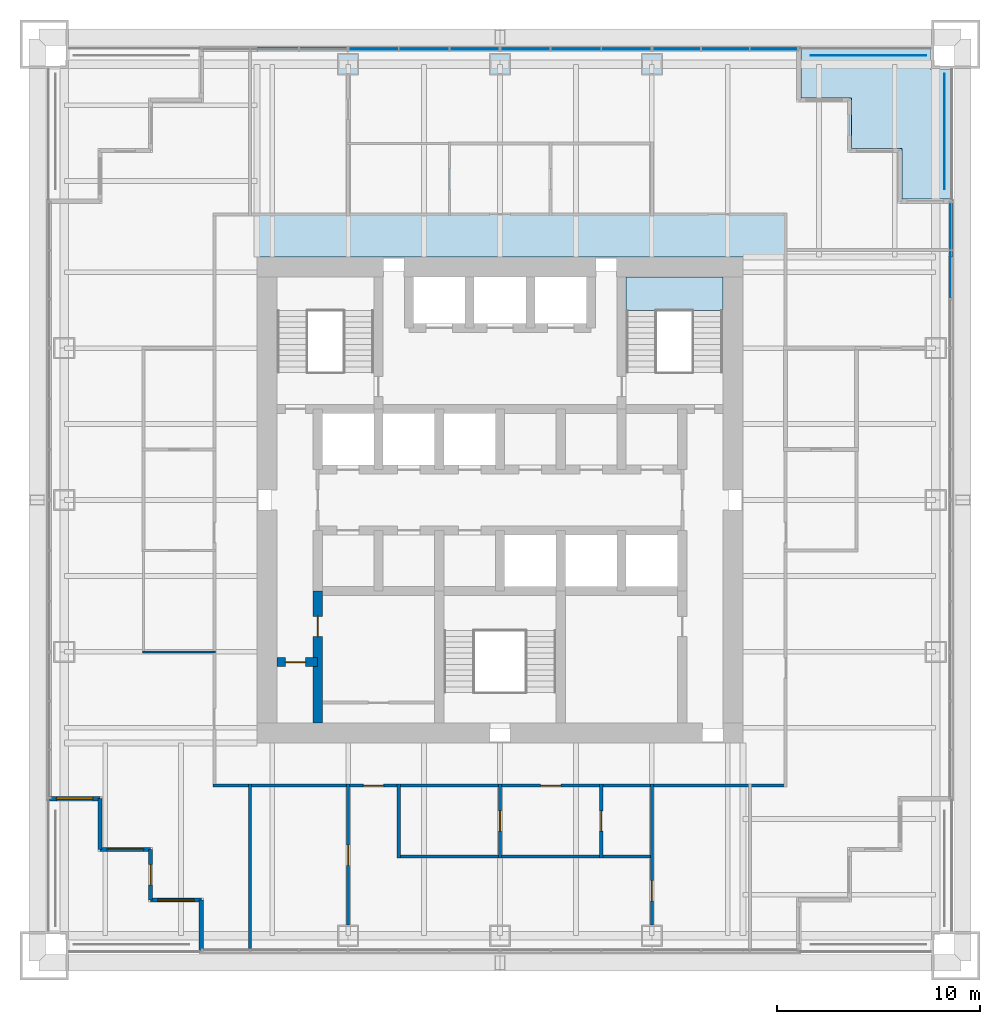
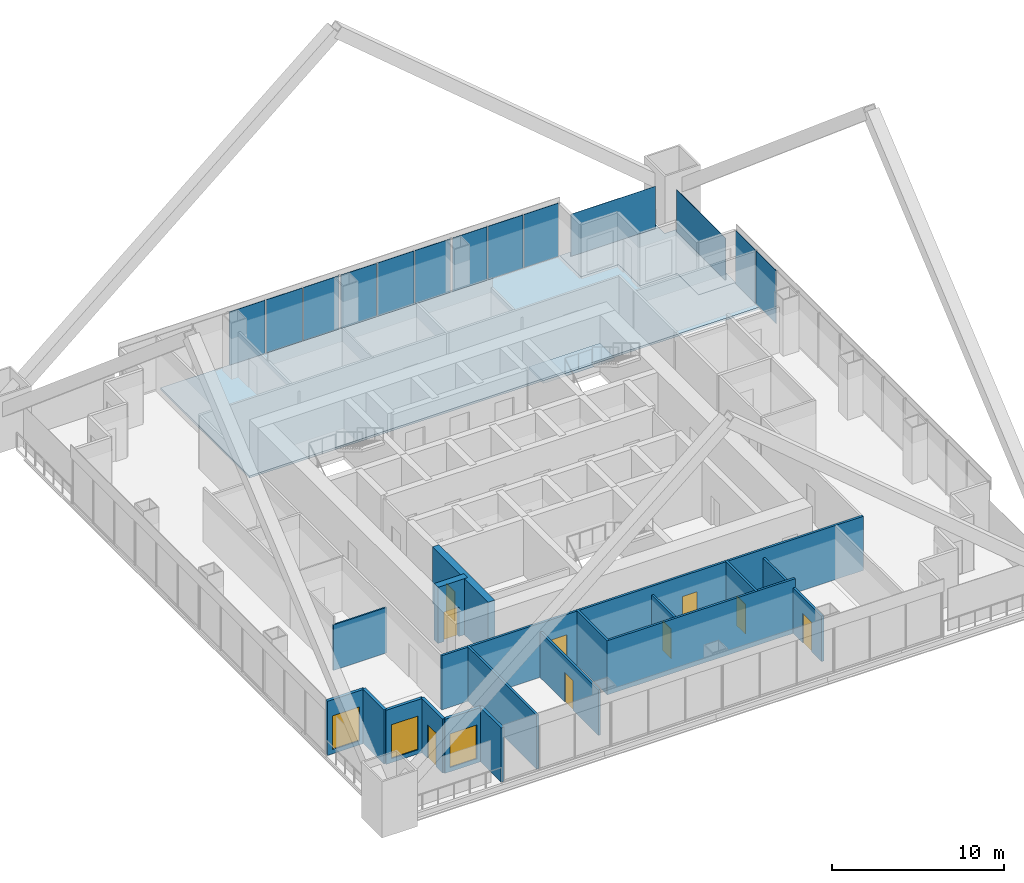
# One storey, part 14 of 19: 17 walls, 13 plates, 9 doors, 3 slabs, 3 windows, 12 openings, 5 elements without a shape of their own.
"""IFC4 building model written with IfcOpenShell, lengths in metres."""

from ifc_helpers import new_model, si_unit, direction, frame, frame_2d, origin, origin_2d, place, context, subcontext, project, spatial, polyline, rectangle, outline, extrude, material, layer, layer_set, type_object, element, fill, aggregate, save


model = new_model("IFC4")

# Units and contexts
model_context = context("Model", 3, precision=1e-05, world=origin(), true_north=direction((0.0, 1.0)))
body_context = subcontext(model_context, "Body", "Model", "MODEL_VIEW")
ifc_project = project(units=[si_unit("LENGTHUNIT", "METRE"), si_unit("AREAUNIT", "SQUARE_METRE"), si_unit("VOLUMEUNIT", "CUBIC_METRE"), si_unit("PLANEANGLEUNIT", "RADIAN"), si_unit("MASSUNIT", "GRAM", prefix="KILO")], contexts=[model_context])

# Site, building, storey
site_placement = place(None, origin())
site = spatial("IfcSite", under=ifc_project, at=site_placement, CompositionType="ELEMENT")
building_placement = place(site_placement, origin())
building = spatial("IfcBuilding", under=site, at=building_placement, Name="Tarangal Relay Tower", CompositionType="ELEMENT")
storey_placement = place(building_placement, frame((0.0, 0.0, 213.89990234375)))
storey = spatial("IfcBuildingStorey", under=building, at=storey_placement, Name="L45", CompositionType="ELEMENT", Elevation=213.89990234375)

# Slab
ifc_material_1 = material(Name="Concrete fc' 35 MPa", Category="concrete")
ifc_layer_1 = layer(ifc_material_1, 0.14990234375)
ifc_layer_set_1 = layer_set([ifc_layer_1], Name="Floor slab 150")
slab_type_1 = type_object("IfcSlabType", Name="Floor slab 150", PredefinedType="FLOOR", material=ifc_layer_set_1)
slab_1_placement = place(storey_placement, frame((0.0, 0.0, -0.14990234375)))
element("IfcSlab", 1, at=slab_1_placement, inside=storey, type_object=slab_type_1, Name="Floor slab FS3 L45 north bay", PredefinedType="FLOOR", context=body_context, shape_type="SweptSolid", body=[
    extrude(outline(polyline([(14.85009765625, 22.35009765625), (14.85009765625, 19.85009765625), (17.35009765625, 19.85009765625), (17.35009765625, 17.35009765625), (19.85009765625, 17.35009765625), (19.85009765625, 14.85009765625), (22.35009765625, 14.85009765625), (22.35009765625, 12.0), (-12.0, 12.0), (-12.0, 22.35009765625), (14.85009765625, 22.35009765625)])), origin(), (0.0, 0.0, 1.0), 0.14990234375),
])

# Curtain wall, plates
ifc_material_2 = material(Name="Unitised curtain wall, dark glass and black aluminium", Category="aluminium")
curtain_wall_type = type_object("IfcCurtainWallType", Name="Curtain wall CW-A", PredefinedType="USERDEFINED", material=ifc_material_2)
curtain_wall_1_placement = place(storey_placement, origin())
curtain_wall_1 = element("IfcCurtainWall", 2, at=curtain_wall_1_placement, inside=storey, type_object=curtain_wall_type, Name="Curtain wall CW-A N facade L45", ObjectType="UNITISED CURTAIN WALL", PredefinedType="USERDEFINED")
ifc_material_3 = material(Name="Dark tinted insulated glass unit", Category="glass")
ifc_layer_2 = layer(ifc_material_3, 0.031982421875)
ifc_layer_set_2 = layer_set([ifc_layer_2], Name="Glazed panel CW-A 32")
plate_type_1 = type_object("IfcPlateType", Name="Glazed panel CW-A 32", PredefinedType="CURTAIN_PANEL", material=ifc_layer_set_2)
plate_1_placement = place(storey_placement, frame((-6.233642578125, 22.25, 0.06494140625), z_axis=(0.0, 0.0, 1.0), x_axis=(1.0, 0.0, 0.0)))
plate_1 = element("IfcPlate", 3, at=plate_1_placement, type_object=plate_type_1, Name="CW-A panel 1.1", PredefinedType="CURTAIN_PANEL", context=body_context, shape_type="SweptSolid", body=[
    extrude(rectangle(XDim=2.402587890625, YDim=0.031982421875, at=origin_2d()), origin(), (0.0, 0.0, 1.0), 3.784912109375),
])
plate_2_placement = place(storey_placement, frame((-3.75, 22.25, 0.06494140625), z_axis=(0.0, 0.0, 1.0), x_axis=(1.0, 0.0, 0.0)))
plate_2 = element("IfcPlate", 4, at=plate_2_placement, type_object=plate_type_1, Name="CW-A panel 2.1", PredefinedType="CURTAIN_PANEL", context=body_context, shape_type="SweptSolid", body=[
    extrude(rectangle(XDim=2.43505859375, YDim=0.031982421875, at=origin_2d()), origin(), (0.0, 0.0, 1.0), 3.784912109375),
])
plate_3_placement = place(storey_placement, frame((-1.266357421875, 22.25, 0.06494140625), z_axis=(0.0, 0.0, 1.0), x_axis=(1.0, 0.0, 0.0)))
plate_3 = element("IfcPlate", 5, at=plate_3_placement, type_object=plate_type_1, Name="CW-A panel 3.1", PredefinedType="CURTAIN_PANEL", context=body_context, shape_type="SweptSolid", body=[
    extrude(rectangle(XDim=2.402587890625, YDim=0.031982421875, at=origin_2d()), origin(), (0.0, 0.0, 1.0), 3.784912109375),
])
aggregate(curtain_wall_1, [plate_1, plate_2, plate_3])

curtain_wall_2_placement = place(storey_placement, origin())
curtain_wall_2 = element("IfcCurtainWall", 6, at=curtain_wall_2_placement, inside=storey, type_object=curtain_wall_type, Name="Curtain wall CW-A N facade L45", ObjectType="UNITISED CURTAIN WALL", PredefinedType="USERDEFINED")
plate_4_placement = place(storey_placement, frame((1.266357421875, 22.25, 0.06494140625), z_axis=(0.0, 0.0, 1.0), x_axis=(1.0, 0.0, 0.0)))
plate_4 = element("IfcPlate", 7, at=plate_4_placement, type_object=plate_type_1, Name="CW-A panel 1.1", PredefinedType="CURTAIN_PANEL", context=body_context, shape_type="SweptSolid", body=[
    extrude(rectangle(XDim=2.402587890625, YDim=0.031982421875, at=origin_2d()), origin(), (0.0, 0.0, 1.0), 3.784912109375),
])
plate_5_placement = place(storey_placement, frame((3.75, 22.25, 0.06494140625), z_axis=(0.0, 0.0, 1.0), x_axis=(1.0, 0.0, 0.0)))
plate_5 = element("IfcPlate", 8, at=plate_5_placement, type_object=plate_type_1, Name="CW-A panel 2.1", PredefinedType="CURTAIN_PANEL", context=body_context, shape_type="SweptSolid", body=[
    extrude(rectangle(XDim=2.43505859375, YDim=0.031982421875, at=origin_2d()), origin(), (0.0, 0.0, 1.0), 3.784912109375),
])
plate_6_placement = place(storey_placement, frame((6.233642578125, 22.25, 0.06494140625), z_axis=(0.0, 0.0, 1.0), x_axis=(1.0, 0.0, 0.0)))
plate_6 = element("IfcPlate", 9, at=plate_6_placement, type_object=plate_type_1, Name="CW-A panel 3.1", PredefinedType="CURTAIN_PANEL", context=body_context, shape_type="SweptSolid", body=[
    extrude(rectangle(XDim=2.402587890625, YDim=0.031982421875, at=origin_2d()), origin(), (0.0, 0.0, 1.0), 3.784912109375),
])
aggregate(curtain_wall_2, [plate_4, plate_5, plate_6])

curtain_wall_3_placement = place(storey_placement, origin())
curtain_wall_3 = element("IfcCurtainWall", 10, at=curtain_wall_3_placement, inside=storey, type_object=curtain_wall_type, Name="Curtain wall CW-A N facade L45", ObjectType="UNITISED CURTAIN WALL", PredefinedType="USERDEFINED")
plate_7_placement = place(storey_placement, frame((8.724609375, 22.25, 0.06494140625), z_axis=(0.0, 0.0, 1.0), x_axis=(1.0, 0.0, 0.0)))
plate_7 = element("IfcPlate", 11, at=plate_7_placement, type_object=plate_type_1, Name="CW-A panel 1.1", PredefinedType="CURTAIN_PANEL", context=body_context, shape_type="SweptSolid", body=[
    extrude(rectangle(XDim=2.319091796875, YDim=0.031982421875, at=origin_2d()), origin(), (0.0, 0.0, 1.0), 3.784912109375),
])
plate_8_placement = place(storey_placement, frame((11.125, 22.25, 0.06494140625), z_axis=(0.0, 0.0, 1.0), x_axis=(1.0, 0.0, 0.0)))
plate_8 = element("IfcPlate", 12, at=plate_8_placement, type_object=plate_type_1, Name="CW-A panel 2.1", PredefinedType="CURTAIN_PANEL", context=body_context, shape_type="SweptSolid", body=[
    extrude(rectangle(XDim=2.3515625, YDim=0.031982421875, at=origin_2d()), origin(), (0.0, 0.0, 1.0), 3.784912109375),
])
plate_9_placement = place(storey_placement, frame((13.525390625, 22.25, 0.06494140625), z_axis=(0.0, 0.0, 1.0), x_axis=(1.0, 0.0, 0.0)))
plate_9 = element("IfcPlate", 13, at=plate_9_placement, type_object=plate_type_1, Name="CW-A panel 3.1", PredefinedType="CURTAIN_PANEL", context=body_context, shape_type="SweptSolid", body=[
    extrude(rectangle(XDim=2.319091796875, YDim=0.031982421875, at=origin_2d()), origin(), (0.0, 0.0, 1.0), 3.784912109375),
])
aggregate(curtain_wall_3, [plate_7, plate_8, plate_9])

curtain_wall_4_placement = place(storey_placement, origin())
curtain_wall_4 = element("IfcCurtainWall", 14, at=curtain_wall_4_placement, inside=storey, type_object=curtain_wall_type, Name="Curtain wall CW-A E facade L45", ObjectType="UNITISED CURTAIN WALL", PredefinedType="USERDEFINED")
plate_10_placement = place(storey_placement, frame((22.25, 13.525390625, 0.06494140625), z_axis=(0.0, 0.0, 1.0), x_axis=(0.0, -1.0, 0.0)))
plate_10 = element("IfcPlate", 15, at=plate_10_placement, type_object=plate_type_1, Name="CW-A panel 1.1", PredefinedType="CURTAIN_PANEL", context=body_context, shape_type="SweptSolid", body=[
    extrude(rectangle(XDim=2.319091796875, YDim=0.031982421875, at=origin_2d()), origin(), (0.0, 0.0, 1.0), 3.784912109375),
])
plate_11_placement = place(storey_placement, frame((22.25, 11.125, 0.06494140625), z_axis=(0.0, 0.0, 1.0), x_axis=(0.0, -1.0, 0.0)))
plate_11 = element("IfcPlate", 16, at=plate_11_placement, type_object=plate_type_1, Name="CW-A panel 2.1", PredefinedType="CURTAIN_PANEL", context=body_context, shape_type="SweptSolid", body=[
    extrude(rectangle(XDim=2.3515625, YDim=0.031982421875, at=origin_2d()), origin(), (0.0, 0.0, 1.0), 3.784912109375),
])
aggregate(curtain_wall_4, [plate_10, plate_11])

# Plate
ifc_material_4 = material(Name="Black stainless steel cable trellis with climbing planting", Category="steel")
ifc_layer_3 = layer(ifc_material_4, 0.030029296875)
ifc_layer_set_3 = layer_set([ifc_layer_3], Name="Planted trellis screen")
plate_type_2 = type_object("IfcPlateType", Name="Planted trellis screen", PredefinedType="SHEET", material=ifc_layer_set_3)
plate_12_placement = place(storey_placement, frame((21.949951171875, 18.199951171875, 0.0), z_axis=(0.0, 0.0, 1.0), x_axis=(0.0, -1.0, 0.0)))
element("IfcPlate", 17, at=plate_12_placement, inside=storey, type_object=plate_type_2, Name="Planted trellis SC2 NE L45", PredefinedType="SHEET", context=body_context, shape_type="SweptSolid", body=[
    extrude(rectangle(XDim=5.699951171875, YDim=0.030029296875, at=origin_2d()), origin(), (0.0, 0.0, 1.0), 3.0),
])

# Stair, slab
ifc_material_5 = material(Name="Steel ASTM A992 stair flight", Category="steel")
stair_type = type_object("IfcStairType", Name="Core stair 1500", PredefinedType="HALF_TURN_STAIR", material=ifc_material_5)
stair_placement = place(storey_placement, origin())
stair = element("IfcStair", 18, at=stair_placement, inside=storey, type_object=stair_type, Name="Stair ST-B L45", PredefinedType="HALF_TURN_STAIR")
ifc_layer_4 = layer(ifc_material_1, 0.199951171875)
ifc_layer_set_4 = layer_set([ifc_layer_4], Name="Stair landing 200")
slab_type_2 = type_object("IfcSlabType", Name="Stair landing 200", PredefinedType="LANDING", material=ifc_layer_set_4)
slab_2_placement = place(storey_placement, frame((0.0, 0.0, 1.800048828125)))
slab_2 = element("IfcSlab", 19, at=slab_2_placement, type_object=slab_type_2, Name="ST-B landing 2", PredefinedType="LANDING", context=body_context, shape_type="SweptSolid", body=[
    extrude(outline(polyline([(6.22509765625, 9.346923828125), (11.0, 9.346923828125), (11.0, 11.0), (6.22509765625, 11.0), (6.22509765625, 9.346923828125)])), origin(), (0.0, 0.0, 1.0), 0.199951171875),
])
aggregate(stair, [slab_2])

# Plate
ifc_material_6 = material(Name="Perforated black aluminium screen", Category="aluminium")
ifc_layer_5 = layer(ifc_material_6, 0.02001953125)
ifc_layer_set_5 = layer_set([ifc_layer_5], Name="Terrace screen panel")
plate_type_3 = type_object("IfcPlateType", Name="Terrace screen panel", PredefinedType="SHEET", material=ifc_layer_set_5)
plate_13_placement = place(storey_placement, frame((18.199951171875, 21.949951171875, 0.0), z_axis=(0.0, 0.0, 1.0), x_axis=(1.0, 0.0, 0.0)))
element("IfcPlate", 20, at=plate_13_placement, inside=storey, type_object=plate_type_3, Name="Terrace screen SC1 NE L45", PredefinedType="SHEET", context=body_context, shape_type="SweptSolid", body=[
    extrude(rectangle(XDim=5.699951171875, YDim=0.02001953125, at=origin_2d()), origin(), (0.0, 0.0, 1.0), 3.0),
])

# Slab
ifc_layer_6 = layer(ifc_material_1, 0.14990234375)
ifc_layer_set_6 = layer_set([ifc_layer_6], Name="Terrace slab 150")
slab_type_3 = type_object("IfcSlabType", Name="Terrace slab 150", PredefinedType="FLOOR", material=ifc_layer_set_6)
slab_3_placement = place(storey_placement, frame((0.0, 0.0, -0.14990234375)))
element("IfcSlab", 21, at=slab_3_placement, inside=storey, type_object=slab_type_3, Name="Corner terrace NE L45", PredefinedType="FLOOR", context=body_context, shape_type="SweptSolid", body=[
    extrude(outline(polyline([(14.85009765625, 22.35009765625), (14.85009765625, 19.85009765625), (17.35009765625, 19.85009765625), (17.35009765625, 17.35009765625), (19.85009765625, 17.35009765625), (19.85009765625, 14.85009765625), (22.35009765625, 14.85009765625), (22.35009765625, 21.25), (21.25, 21.25), (21.25, 22.35009765625), (14.85009765625, 22.35009765625)])), origin(), (0.0, 0.0, 1.0), 0.14990234375),
])

# Wall, opening, door
ifc_material_7 = material(Name="Concrete fc' 60 MPa", Category="concrete")
ifc_layer_7 = layer(ifc_material_7, 0.449951171875)
ifc_layer_set_7 = layer_set([ifc_layer_7], Name="Core inner wall 450")
wall_type_1 = type_object("IfcWallType", Name="Core inner wall 450", PredefinedType="SHEAR", material=ifc_layer_set_7)
wall_1_placement = place(storey_placement, frame((-11.0, -8.0, 0.0), z_axis=(0.0, 0.0, 1.0), x_axis=(1.0, 0.0, 0.0)))
wall_1 = element("IfcWall", 22, at=wall_1_placement, inside=storey, type_object=wall_type_1, Name="Core wall YM8 L45", PredefinedType="SHEAR", context=body_context, shape_type="SweptSolid", body=[
    extrude(rectangle(XDim=2.0, YDim=0.449951171875, at=frame_2d((1.0, 0.0))), origin(), (0.0, 0.0, 1.0), 4.0),
])
opening_1_placement = place(wall_1_placement, frame((0.39990234375, 0.0, 0.0)))
opening_1 = element("IfcOpeningElement", 23, at=opening_1_placement, cuts=wall_1, Name="Opening D1", PredefinedType="OPENING", context=body_context, shape_type="SweptSolid", body=[
    extrude(rectangle(XDim=1.0, YDim=2.10009765625, at=frame_2d((0.5, 1.050048828125))), frame((0.0, 0.23486328125, 0.0), z_axis=(0.0, -1.0, 0.0), x_axis=(1.0, 0.0, 0.0)), (0.0, 0.0, 1.0), 0.469970703125),
])
ifc_material_8 = material(Name="Hardwood door", Category="wood")
door_type_1 = type_object("IfcDoorType", Name="WC door 1000 x 2100", OperationType="SINGLE_SWING_LEFT", PredefinedType="DOOR", material=ifc_material_8)
door_1_placement = place(opening_1_placement, origin())
door_1 = element("IfcDoor", 24, at=door_1_placement, inside=storey, type_object=door_type_1, Name="Accessible WC door L45", OperationType="SINGLE_SWING_LEFT", OverallHeight=2.10009765625, OverallWidth=1.0, PredefinedType="DOOR", context=body_context, shape_type="SweptSolid", body=[
    extrude(rectangle(XDim=1.0, YDim=2.10009765625, at=frame_2d((0.5, 1.050048828125))), frame((0.0, 0.02490234375, 0.0), z_axis=(0.0, -1.0, 0.0), x_axis=(1.0, 0.0, 0.0)), (0.0, 0.0, 1.0), 0.050048828125),
])
fill(opening_1, door_1)

wall_2_placement = place(storey_placement, frame((-9.0, -11.0, 0.0), z_axis=(0.0, 0.0, 1.0), x_axis=(0.0, 1.0, 0.0)))
wall_2 = element("IfcWall", 25, at=wall_2_placement, inside=storey, type_object=wall_type_1, Name="Core wall XM9W L45", PredefinedType="SHEAR", context=body_context, shape_type="SweptSolid", body=[
    extrude(rectangle(XDim=6.5, YDim=0.449951171875, at=frame_2d((3.25, 0.0))), origin(), (0.0, 0.0, 1.0), 4.0),
])
opening_2_placement = place(wall_2_placement, frame((4.25, 0.0, 0.0)))
opening_2 = element("IfcOpeningElement", 26, at=opening_2_placement, cuts=wall_2, Name="Opening D1", PredefinedType="OPENING", context=body_context, shape_type="SweptSolid", body=[
    extrude(rectangle(XDim=1.0, YDim=2.10009765625, at=frame_2d((0.5, 1.050048828125))), frame((0.0, 0.23486328125, 0.0), z_axis=(0.0, -1.0, 0.0), x_axis=(1.0, 0.0, 0.0)), (0.0, 0.0, 1.0), 0.469970703125),
])
door_2_placement = place(opening_2_placement, origin())
door_2 = element("IfcDoor", 27, at=door_2_placement, inside=storey, type_object=door_type_1, Name="Male WC door L45", OperationType="SINGLE_SWING_LEFT", OverallHeight=2.10009765625, OverallWidth=1.0, PredefinedType="DOOR", context=body_context, shape_type="SweptSolid", body=[
    extrude(rectangle(XDim=1.0, YDim=2.10009765625, at=frame_2d((0.5, 1.050048828125))), frame((0.0, 0.02490234375, 0.0), z_axis=(0.0, -1.0, 0.0), x_axis=(1.0, 0.0, 0.0)), (0.0, 0.0, 1.0), 0.050048828125),
])
fill(opening_2, door_2)

# Wall
ifc_material_9 = material(Name="Black metal clad insulated wall", Category="steel")
ifc_layer_8 = layer(ifc_material_9, 0.199951171875)
ifc_layer_set_8 = layer_set([ifc_layer_8], Name="Corner wall metal clad 200")
wall_type_2 = type_object("IfcWallType", Name="Corner wall metal clad 200", PredefinedType="SOLIDWALL", material=ifc_layer_set_8)
wall_3_placement = place(storey_placement, frame((-14.75, -22.25, 0.0), z_axis=(0.0, 0.0, 1.0), x_axis=(0.0, 1.0, 0.0)))
element("IfcWall", 28, at=wall_3_placement, inside=storey, type_object=wall_type_2, Name="Facade wall S facade L45", PredefinedType="SOLIDWALL", context=body_context, shape_type="SweptSolid", body=[
    extrude(rectangle(XDim=2.5, YDim=0.199951171875, at=frame_2d((1.25, 0.0))), origin(), (0.0, 0.0, 1.0), 3.85009765625),
])

# Wall, opening, window
wall_4_placement = place(storey_placement, frame((-14.75, -19.75, 0.0), z_axis=(0.0, 0.0, 1.0), x_axis=(-1.0, 0.0, 0.0)))
wall_4 = element("IfcWall", 29, at=wall_4_placement, inside=storey, type_object=wall_type_2, Name="Facade wall S facade L45", PredefinedType="SOLIDWALL", context=body_context, shape_type="SweptSolid", body=[
    extrude(rectangle(XDim=2.5, YDim=0.199951171875, at=frame_2d((1.25, 0.0))), origin(), (0.0, 0.0, 1.0), 3.85009765625),
])
opening_3_placement = place(wall_4_placement, frame((0.35009765625, 0.0, 0.300048828125)))
opening_3 = element("IfcOpeningElement", 30, at=opening_3_placement, cuts=wall_4, Name="Opening WN2", PredefinedType="OPENING", context=body_context, shape_type="SweptSolid", body=[
    extrude(rectangle(XDim=1.800048828125, YDim=2.39990234375, at=frame_2d((0.89990234375, 1.199951171875))), frame((0.0, 0.10986328125, 0.0), z_axis=(0.0, -1.0, 0.0), x_axis=(1.0, 0.0, 0.0)), (0.0, 0.0, 1.0), 0.219970703125),
])
ifc_material_10 = material(Name="Dark tinted double glazing in black aluminium frame", Category="aluminium")
window_type = type_object("IfcWindowType", Name="Corner window 1800 x 2400", PartitioningType="SINGLE_PANEL", PredefinedType="WINDOW", material=ifc_material_10)
window_1_placement = place(opening_3_placement, origin())
window_1 = element("IfcWindow", 31, at=window_1_placement, inside=storey, type_object=window_type, Name="Corner window WN2 S facade L45", OverallHeight=2.39990234375, OverallWidth=1.800048828125, PartitioningType="SINGLE_PANEL", PredefinedType="WINDOW", context=body_context, shape_type="SweptSolid", body=[
    extrude(rectangle(XDim=1.800048828125, YDim=2.39990234375, at=frame_2d((0.89990234375, 1.199951171875))), frame((0.0, 0.030029296875, 0.0), z_axis=(0.0, -1.0, 0.0), x_axis=(1.0, 0.0, 0.0)), (0.0, 0.0, 1.0), 0.06005859375),
])
fill(opening_3, window_1)

# Wall, opening, door
wall_5_placement = place(storey_placement, frame((-17.25, -19.75, 0.0), z_axis=(0.0, 0.0, 1.0), x_axis=(0.0, 1.0, 0.0)))
wall_5 = element("IfcWall", 32, at=wall_5_placement, inside=storey, type_object=wall_type_2, Name="Facade wall S facade L45", PredefinedType="SOLIDWALL", context=body_context, shape_type="SweptSolid", body=[
    extrude(rectangle(XDim=2.5, YDim=0.199951171875, at=frame_2d((1.25, 0.0))), origin(), (0.0, 0.0, 1.0), 3.85009765625),
])
opening_4_placement = place(wall_5_placement, frame((0.75, 0.0, 0.0)))
opening_4 = element("IfcOpeningElement", 33, at=opening_4_placement, cuts=wall_5, Name="Opening TD1", PredefinedType="OPENING", context=body_context, shape_type="SweptSolid", body=[
    extrude(rectangle(XDim=1.0, YDim=2.39990234375, at=frame_2d((0.5, 1.199951171875))), frame((0.0, 0.10986328125, 0.0), z_axis=(0.0, -1.0, 0.0), x_axis=(1.0, 0.0, 0.0)), (0.0, 0.0, 1.0), 0.219970703125),
])
ifc_material_11 = material(Name="Aluminium glazed door", Category="aluminium")
door_type_2 = type_object("IfcDoorType", Name="Terrace door 1000 x 2400", OperationType="SINGLE_SWING_RIGHT", PredefinedType="DOOR", material=ifc_material_11)
door_3_placement = place(opening_4_placement, origin())
door_3 = element("IfcDoor", 34, at=door_3_placement, inside=storey, type_object=door_type_2, Name="Terrace door TD1 SW L45", OperationType="SINGLE_SWING_RIGHT", OverallHeight=2.39990234375, OverallWidth=1.0, PredefinedType="DOOR", context=body_context, shape_type="SweptSolid", body=[
    extrude(rectangle(XDim=1.0, YDim=2.39990234375, at=frame_2d((0.5, 1.199951171875))), frame((0.0, 0.02490234375, 0.0), z_axis=(0.0, -1.0, 0.0), x_axis=(1.0, 0.0, 0.0)), (0.0, 0.0, 1.0), 0.050048828125),
])
fill(opening_4, door_3)

# Wall, opening, window
wall_6_placement = place(storey_placement, frame((-17.25, -17.25, 0.0), z_axis=(0.0, 0.0, 1.0), x_axis=(-1.0, 0.0, 0.0)))
wall_6 = element("IfcWall", 35, at=wall_6_placement, inside=storey, type_object=wall_type_2, Name="Facade wall S facade L45", PredefinedType="SOLIDWALL", context=body_context, shape_type="SweptSolid", body=[
    extrude(rectangle(XDim=2.5, YDim=0.199951171875, at=frame_2d((1.25, 0.0))), origin(), (0.0, 0.0, 1.0), 3.85009765625),
])
opening_5_placement = place(wall_6_placement, frame((0.35009765625, 0.0, 0.300048828125)))
opening_5 = element("IfcOpeningElement", 36, at=opening_5_placement, cuts=wall_6, Name="Opening WN2", PredefinedType="OPENING", context=body_context, shape_type="SweptSolid", body=[
    extrude(rectangle(XDim=1.800048828125, YDim=2.39990234375, at=frame_2d((0.89990234375, 1.199951171875))), frame((0.0, 0.10986328125, 0.0), z_axis=(0.0, -1.0, 0.0), x_axis=(1.0, 0.0, 0.0)), (0.0, 0.0, 1.0), 0.219970703125),
])
window_2_placement = place(opening_5_placement, origin())
window_2 = element("IfcWindow", 37, at=window_2_placement, inside=storey, type_object=window_type, Name="Corner window WN2 S facade L45", OverallHeight=2.39990234375, OverallWidth=1.800048828125, PartitioningType="SINGLE_PANEL", PredefinedType="WINDOW", context=body_context, shape_type="SweptSolid", body=[
    extrude(rectangle(XDim=1.800048828125, YDim=2.39990234375, at=frame_2d((0.89990234375, 1.199951171875))), frame((0.0, 0.030029296875, 0.0), z_axis=(0.0, -1.0, 0.0), x_axis=(1.0, 0.0, 0.0)), (0.0, 0.0, 1.0), 0.06005859375),
])
fill(opening_5, window_2)

# Wall
wall_7_placement = place(storey_placement, frame((-19.75, -17.25, 0.0), z_axis=(0.0, 0.0, 1.0), x_axis=(0.0, 1.0, 0.0)))
element("IfcWall", 38, at=wall_7_placement, inside=storey, type_object=wall_type_2, Name="Facade wall S facade L45", PredefinedType="SOLIDWALL", context=body_context, shape_type="SweptSolid", body=[
    extrude(rectangle(XDim=2.5, YDim=0.199951171875, at=frame_2d((1.25, 0.0))), origin(), (0.0, 0.0, 1.0), 3.85009765625),
])

# Wall, opening, window
wall_8_placement = place(storey_placement, frame((-19.75, -14.75, 0.0), z_axis=(0.0, 0.0, 1.0), x_axis=(-1.0, 0.0, 0.0)))
wall_8 = element("IfcWall", 39, at=wall_8_placement, inside=storey, type_object=wall_type_2, Name="Facade wall S facade L45", PredefinedType="SOLIDWALL", context=body_context, shape_type="SweptSolid", body=[
    extrude(rectangle(XDim=2.5, YDim=0.199951171875, at=frame_2d((1.25, 0.0))), origin(), (0.0, 0.0, 1.0), 3.85009765625),
])
opening_6_placement = place(wall_8_placement, frame((0.35009765625, 0.0, 0.300048828125)))
opening_6 = element("IfcOpeningElement", 40, at=opening_6_placement, cuts=wall_8, Name="Opening WN2", PredefinedType="OPENING", context=body_context, shape_type="SweptSolid", body=[
    extrude(rectangle(XDim=1.800048828125, YDim=2.39990234375, at=frame_2d((0.89990234375, 1.199951171875))), frame((0.0, 0.10986328125, 0.0), z_axis=(0.0, -1.0, 0.0), x_axis=(1.0, 0.0, 0.0)), (0.0, 0.0, 1.0), 0.219970703125),
])
window_3_placement = place(opening_6_placement, origin())
window_3 = element("IfcWindow", 41, at=window_3_placement, inside=storey, type_object=window_type, Name="Corner window WN2 S facade L45", OverallHeight=2.39990234375, OverallWidth=1.800048828125, PartitioningType="SINGLE_PANEL", PredefinedType="WINDOW", context=body_context, shape_type="SweptSolid", body=[
    extrude(rectangle(XDim=1.800048828125, YDim=2.39990234375, at=frame_2d((0.89990234375, 1.199951171875))), frame((0.0, 0.030029296875, 0.0), z_axis=(0.0, -1.0, 0.0), x_axis=(1.0, 0.0, 0.0)), (0.0, 0.0, 1.0), 0.06005859375),
])
fill(opening_6, window_3)

# Walls
ifc_material_12 = material(Name="Double glazed aluminium framed partition", Category="aluminium")
ifc_layer_9 = layer(ifc_material_12, 0.10009765625)
ifc_layer_set_9 = layer_set([ifc_layer_9], Name="Glazed partition 100")
wall_type_3 = type_object("IfcWallType", Name="Glazed partition 100", PredefinedType="PARTITIONING", material=ifc_layer_set_9)
wall_9_placement = place(storey_placement, frame((-17.64990234375, -7.5, 0.0), z_axis=(0.0, 0.0, 1.0), x_axis=(1.0, 0.0, 0.0)))
element("IfcWall", 42, at=wall_9_placement, inside=storey, type_object=wall_type_3, Name="Partition PT3 L45", PredefinedType="PARTITIONING", context=body_context, shape_type="SweptSolid", body=[
    extrude(rectangle(XDim=3.599853515625, YDim=0.10009765625, at=frame_2d((1.7998046875, 0.0))), origin(), (0.0, 0.0, 1.0), 3.238037109375),
])
ifc_material_13 = material(Name="Gypsum board on steel studs", Category="steel")
ifc_layer_10 = layer(ifc_material_13, 0.14990234375)
ifc_layer_set_10 = layer_set([ifc_layer_10], Name="Partition 150")
wall_type_4 = type_object("IfcWallType", Name="Partition 150", PredefinedType="PARTITIONING", material=ifc_layer_set_10)
wall_10_placement = place(storey_placement, frame((-5.074951171875, -17.60009765625, 0.0), z_axis=(0.0, 0.0, 1.0), x_axis=(1.0, 0.0, 0.0)))
element("IfcWall", 43, at=wall_10_placement, inside=storey, type_object=wall_type_4, Name="Partition PT1 L45", PredefinedType="PARTITIONING", context=body_context, shape_type="SweptSolid", body=[
    extrude(rectangle(XDim=12.64990234375, YDim=0.14990234375, at=frame_2d((6.324951171875, 0.0))), origin(), (0.0, 0.0, 1.0), 3.85009765625),
])

# Wall, openings, doors
wall_11_placement = place(storey_placement, frame((-14.175048828125, -14.10009765625, 0.0), z_axis=(0.0, 0.0, 1.0), x_axis=(1.0, 0.0, 0.0)))
wall_11 = element("IfcWall", 44, at=wall_11_placement, inside=storey, type_object=wall_type_4, Name="Partition PT1 L45", PredefinedType="PARTITIONING", context=body_context, shape_type="SweptSolid", body=[
    extrude(rectangle(XDim=28.35009765625, YDim=0.14990234375, at=frame_2d((14.175048828125, 0.0))), origin(), (0.0, 0.0, 1.0), 3.85009765625),
])
opening_7_placement = place(wall_11_placement, frame((7.425048828125, 0.0, 0.0)))
opening_7 = element("IfcOpeningElement", 45, at=opening_7_placement, cuts=wall_11, Name="Opening SD1", PredefinedType="OPENING", context=body_context, shape_type="SweptSolid", body=[
    extrude(rectangle(XDim=1.0, YDim=2.39990234375, at=frame_2d((0.5, 1.199951171875))), frame((0.0, 0.0849609375, 0.0), z_axis=(0.0, -1.0, 0.0), x_axis=(1.0, 0.0, 0.0)), (0.0, 0.0, 1.0), 0.169921875),
])
opening_8_placement = place(wall_11_placement, frame((16.175048828125, 0.0, 0.0)))
opening_8 = element("IfcOpeningElement", 46, at=opening_8_placement, cuts=wall_11, Name="Opening SD1", PredefinedType="OPENING", context=body_context, shape_type="SweptSolid", body=[
    extrude(rectangle(XDim=1.0, YDim=2.39990234375, at=frame_2d((0.5, 1.199951171875))), frame((0.0, 0.0849609375, 0.0), z_axis=(0.0, -1.0, 0.0), x_axis=(1.0, 0.0, 0.0)), (0.0, 0.0, 1.0), 0.169921875),
])
ifc_material_14 = material(Name="Steel door with hardwood frame", Category="steel")
door_type_3 = type_object("IfcDoorType", Name="Suite entrance door 1000 x 2400", OperationType="SINGLE_SWING_RIGHT", PredefinedType="DOOR", material=ifc_material_14)
door_4_placement = place(opening_7_placement, origin())
door_4 = element("IfcDoor", 47, at=door_4_placement, inside=storey, type_object=door_type_3, Name="Door SD1 to open plan office L45-11", OperationType="SINGLE_SWING_RIGHT", OverallHeight=2.39990234375, OverallWidth=1.0, PredefinedType="DOOR", context=body_context, shape_type="SweptSolid", body=[
    extrude(rectangle(XDim=1.0, YDim=2.39990234375, at=frame_2d((0.5, 1.199951171875))), frame((0.0, 0.02490234375, 0.0), z_axis=(0.0, -1.0, 0.0), x_axis=(1.0, 0.0, 0.0)), (0.0, 0.0, 1.0), 0.050048828125),
])
fill(opening_7, door_4)
door_5_placement = place(opening_8_placement, origin())
door_5 = element("IfcDoor", 48, at=door_5_placement, inside=storey, type_object=door_type_3, Name="Door SD1 to reception L45-12", OperationType="SINGLE_SWING_RIGHT", OverallHeight=2.39990234375, OverallWidth=1.0, PredefinedType="DOOR", context=body_context, shape_type="SweptSolid", body=[
    extrude(rectangle(XDim=1.0, YDim=2.39990234375, at=frame_2d((0.5, 1.199951171875))), frame((0.0, 0.02490234375, 0.0), z_axis=(0.0, -1.0, 0.0), x_axis=(1.0, 0.0, 0.0)), (0.0, 0.0, 1.0), 0.050048828125),
])
fill(opening_8, door_5)

# Wall
wall_12_placement = place(storey_placement, frame((-12.3330078125, -22.14990234375, 0.0), z_axis=(0.0, 0.0, 1.0), x_axis=(0.0, 1.0, 0.0)))
element("IfcWall", 49, at=wall_12_placement, inside=storey, type_object=wall_type_4, Name="Partition PT1 L45", PredefinedType="PARTITIONING", context=body_context, shape_type="SweptSolid", body=[
    extrude(rectangle(XDim=8.125, YDim=0.14990234375, at=frame_2d((4.0625, 0.0))), origin(), (0.0, 0.0, 1.0), 3.85009765625),
])

# Wall, opening, door
wall_13_placement = place(storey_placement, frame((-7.5, -20.989990234375, 0.0), z_axis=(0.0, 0.0, 1.0), x_axis=(0.0, 1.0, 0.0)))
wall_13 = element("IfcWall", 50, at=wall_13_placement, inside=storey, type_object=wall_type_4, Name="Partition PT1 L45", PredefinedType="PARTITIONING", context=body_context, shape_type="SweptSolid", body=[
    extrude(rectangle(XDim=6.965087890625, YDim=0.14990234375, at=frame_2d((3.482421875, 0.0))), origin(), (0.0, 0.0, 1.0), 3.238037109375),
])
opening_9_placement = place(wall_13_placement, frame((2.945068359375, 0.0, 0.0)))
opening_9 = element("IfcOpeningElement", 51, at=opening_9_placement, cuts=wall_13, Name="Opening D2", PredefinedType="OPENING", context=body_context, shape_type="SweptSolid", body=[
    extrude(rectangle(XDim=1.0, YDim=2.10009765625, at=frame_2d((0.5, 1.050048828125))), frame((0.0, 0.0849609375, 0.0), z_axis=(0.0, -1.0, 0.0), x_axis=(1.0, 0.0, 0.0)), (0.0, 0.0, 1.0), 0.169921875),
])
door_type_4 = type_object("IfcDoorType", Name="Door 1000 x 2100", OperationType="SINGLE_SWING_LEFT", PredefinedType="DOOR", material=ifc_material_8)
door_6_placement = place(opening_9_placement, origin())
door_6 = element("IfcDoor", 52, at=door_6_placement, inside=storey, type_object=door_type_4, Name="Door D2 to cellular office L45-14", OperationType="SINGLE_SWING_LEFT", OverallHeight=2.10009765625, OverallWidth=1.0, PredefinedType="DOOR", context=body_context, shape_type="SweptSolid", body=[
    extrude(rectangle(XDim=1.0, YDim=2.10009765625, at=frame_2d((0.5, 1.050048828125))), frame((0.0, 0.02490234375, 0.0), z_axis=(0.0, -1.0, 0.0), x_axis=(1.0, 0.0, 0.0)), (0.0, 0.0, 1.0), 0.050048828125),
])
fill(opening_9, door_6)

# Wall
wall_14_placement = place(storey_placement, frame((-5.0, -17.675048828125, 0.0), z_axis=(0.0, 0.0, 1.0), x_axis=(0.0, 1.0, 0.0)))
element("IfcWall", 53, at=wall_14_placement, inside=storey, type_object=wall_type_4, Name="Partition PT1 L45", PredefinedType="PARTITIONING", context=body_context, shape_type="SweptSolid", body=[
    extrude(rectangle(XDim=3.650146484375, YDim=0.14990234375, at=frame_2d((1.8251953125, 0.0))), origin(), (0.0, 0.0, 1.0), 3.85009765625),
])

# Wall, opening, door
wall_15_placement = place(storey_placement, frame((0.0, -17.675048828125, 0.0), z_axis=(0.0, 0.0, 1.0), x_axis=(0.0, 1.0, 0.0)))
wall_15 = element("IfcWall", 54, at=wall_15_placement, inside=storey, type_object=wall_type_4, Name="Partition PT1 L45", PredefinedType="PARTITIONING", context=body_context, shape_type="SweptSolid", body=[
    extrude(rectangle(XDim=3.650146484375, YDim=0.14990234375, at=frame_2d((1.8251953125, 0.0))), origin(), (0.0, 0.0, 1.0), 3.238037109375),
])
opening_10_placement = place(wall_15_placement, frame((1.324951171875, 0.0, 0.0)))
opening_10 = element("IfcOpeningElement", 55, at=opening_10_placement, cuts=wall_15, Name="Opening D2", PredefinedType="OPENING", context=body_context, shape_type="SweptSolid", body=[
    extrude(rectangle(XDim=1.0, YDim=2.10009765625, at=frame_2d((0.5, 1.050048828125))), frame((0.0, 0.0849609375, 0.0), z_axis=(0.0, -1.0, 0.0), x_axis=(1.0, 0.0, 0.0)), (0.0, 0.0, 1.0), 0.169921875),
])
door_7_placement = place(opening_10_placement, origin())
door_7 = element("IfcDoor", 56, at=door_7_placement, inside=storey, type_object=door_type_4, Name="Door D2 to tea pantry L45-13", OperationType="SINGLE_SWING_LEFT", OverallHeight=2.10009765625, OverallWidth=1.0, PredefinedType="DOOR", context=body_context, shape_type="SweptSolid", body=[
    extrude(rectangle(XDim=1.0, YDim=2.10009765625, at=frame_2d((0.5, 1.050048828125))), frame((0.0, 0.02490234375, 0.0), z_axis=(0.0, -1.0, 0.0), x_axis=(1.0, 0.0, 0.0)), (0.0, 0.0, 1.0), 0.050048828125),
])
fill(opening_10, door_7)

wall_16_placement = place(storey_placement, frame((5.0, -17.675048828125, 0.0), z_axis=(0.0, 0.0, 1.0), x_axis=(0.0, 1.0, 0.0)))
wall_16 = element("IfcWall", 57, at=wall_16_placement, inside=storey, type_object=wall_type_4, Name="Partition PT1 L45", PredefinedType="PARTITIONING", context=body_context, shape_type="SweptSolid", body=[
    extrude(rectangle(XDim=3.650146484375, YDim=0.14990234375, at=frame_2d((1.8251953125, 0.0))), origin(), (0.0, 0.0, 1.0), 3.85009765625),
])
opening_11_placement = place(wall_16_placement, frame((1.324951171875, 0.0, 0.0)))
opening_11 = element("IfcOpeningElement", 58, at=opening_11_placement, cuts=wall_16, Name="Opening D2", PredefinedType="OPENING", context=body_context, shape_type="SweptSolid", body=[
    extrude(rectangle(XDim=1.0, YDim=2.10009765625, at=frame_2d((0.5, 1.050048828125))), frame((0.0, 0.0849609375, 0.0), z_axis=(0.0, -1.0, 0.0), x_axis=(1.0, 0.0, 0.0)), (0.0, 0.0, 1.0), 0.169921875),
])
door_8_placement = place(opening_11_placement, origin())
door_8 = element("IfcDoor", 59, at=door_8_placement, inside=storey, type_object=door_type_4, Name="Door D2 to print room L45-10", OperationType="SINGLE_SWING_LEFT", OverallHeight=2.10009765625, OverallWidth=1.0, PredefinedType="DOOR", context=body_context, shape_type="SweptSolid", body=[
    extrude(rectangle(XDim=1.0, YDim=2.10009765625, at=frame_2d((0.5, 1.050048828125))), frame((0.0, 0.02490234375, 0.0), z_axis=(0.0, -1.0, 0.0), x_axis=(1.0, 0.0, 0.0)), (0.0, 0.0, 1.0), 0.050048828125),
])
fill(opening_11, door_8)

wall_17_placement = place(storey_placement, frame((7.5, -20.989990234375, 0.0), z_axis=(0.0, 0.0, 1.0), x_axis=(0.0, 1.0, 0.0)))
wall_17 = element("IfcWall", 60, at=wall_17_placement, inside=storey, type_object=wall_type_4, Name="Partition PT1 L45", PredefinedType="PARTITIONING", context=body_context, shape_type="SweptSolid", body=[
    extrude(rectangle(XDim=6.965087890625, YDim=0.14990234375, at=frame_2d((3.482421875, 0.0))), origin(), (0.0, 0.0, 1.0), 3.238037109375),
])
opening_12_placement = place(wall_17_placement, frame((1.195068359375, 0.0, 0.0)))
opening_12 = element("IfcOpeningElement", 61, at=opening_12_placement, cuts=wall_17, Name="Opening D2", PredefinedType="OPENING", context=body_context, shape_type="SweptSolid", body=[
    extrude(rectangle(XDim=1.0, YDim=2.10009765625, at=frame_2d((0.5, 1.050048828125))), frame((0.0, 0.0849609375, 0.0), z_axis=(0.0, -1.0, 0.0), x_axis=(1.0, 0.0, 0.0)), (0.0, 0.0, 1.0), 0.169921875),
])
door_9_placement = place(opening_12_placement, origin())
door_9 = element("IfcDoor", 62, at=door_9_placement, inside=storey, type_object=door_type_4, Name="Door D2 to cellular office L45-09", OperationType="SINGLE_SWING_LEFT", OverallHeight=2.10009765625, OverallWidth=1.0, PredefinedType="DOOR", context=body_context, shape_type="SweptSolid", body=[
    extrude(rectangle(XDim=1.0, YDim=2.10009765625, at=frame_2d((0.5, 1.050048828125))), frame((0.0, 0.02490234375, 0.0), z_axis=(0.0, -1.0, 0.0), x_axis=(1.0, 0.0, 0.0)), (0.0, 0.0, 1.0), 0.050048828125),
])
fill(opening_12, door_9)

save(model, "model.ifc")
